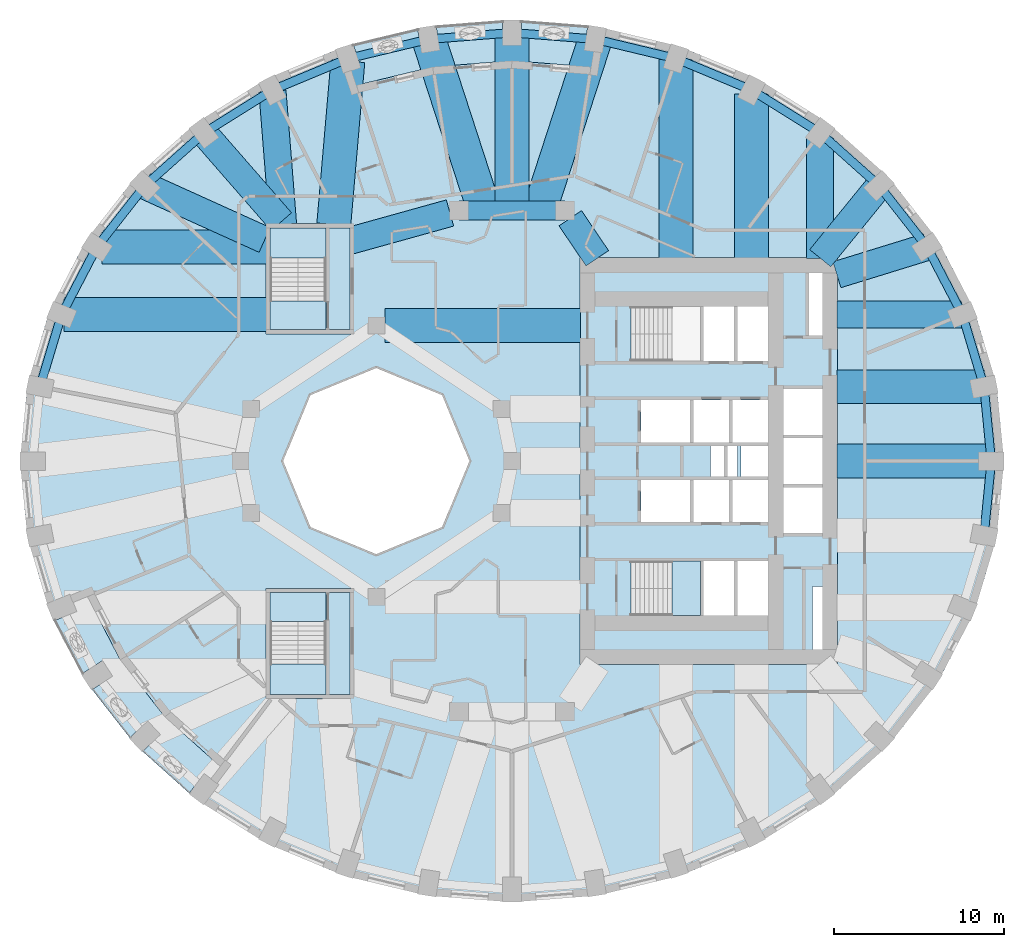
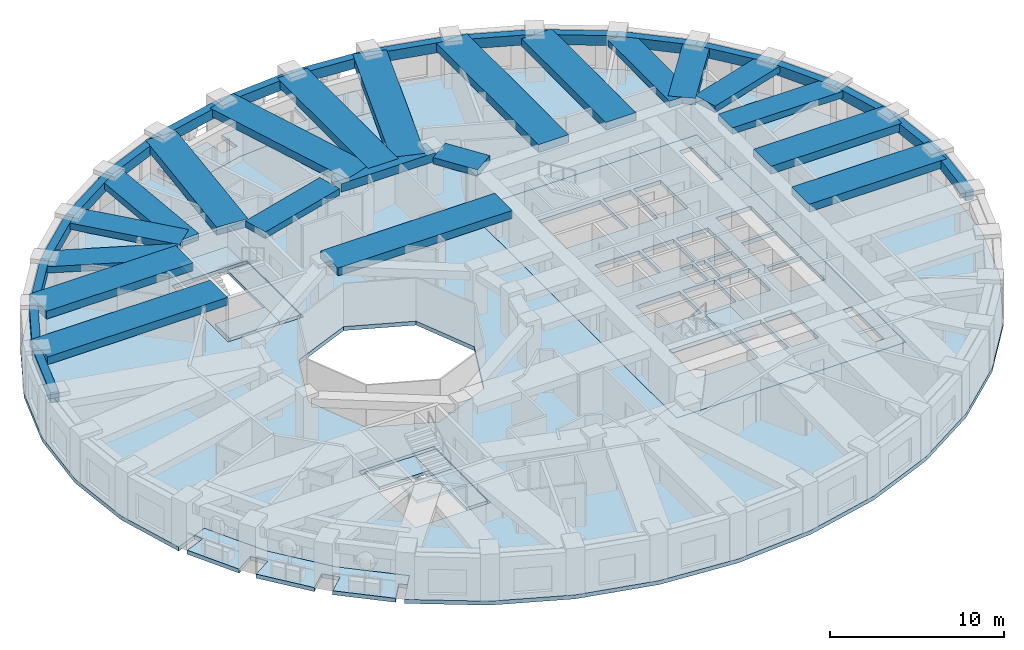
# One storey, part 2 of 13: 39 beams, 11 slabs, 3 elements without a shape of their own.
"""IFC4 building model written with IfcOpenShell, lengths in metres."""

from ifc_helpers import new_model, si_unit, direction, frame, origin, origin_2d, place, context, subcontext, project, spatial, polyline, rectangle, outline, extrude, material, layer, layer_set, material_profile, profile_set, type_object, element, aggregate, save


model = new_model("IFC4")

# Units and contexts
model_context = context("Model", 3, precision=1e-05, world=origin(), true_north=direction((0.0, 1.0)))
body_context = subcontext(model_context, "Body", "Model", "MODEL_VIEW")
ifc_project = project(units=[si_unit("LENGTHUNIT", "METRE"), si_unit("AREAUNIT", "SQUARE_METRE"), si_unit("VOLUMEUNIT", "CUBIC_METRE"), si_unit("PLANEANGLEUNIT", "RADIAN"), si_unit("MASSUNIT", "GRAM", prefix="KILO")], contexts=[model_context])

# Site, building, storey
site_placement = place(None, origin())
site = spatial("IfcSite", under=ifc_project, at=site_placement, CompositionType="ELEMENT")
building_placement = place(site_placement, origin())
building = spatial("IfcBuilding", under=site, at=building_placement, Name="Taillehof Tower", CompositionType="ELEMENT")
storey_placement = place(building_placement, frame((0.0, 0.0, 58.0)))
storey = spatial("IfcBuildingStorey", under=building, at=storey_placement, Name="L15", CompositionType="ELEMENT", Elevation=58.0)

# Beams
ifc_material_1 = material(Name="Concrete C50/60", Category="concrete")
ifc_material_profile_1 = material_profile(ifc_material_1, rectangle(XDim=1.10009765625, YDim=0.60009765625, at=origin_2d()), Name="RC 1100x600")
ifc_profile_set_1 = profile_set([ifc_material_profile_1], Name="Concrete C50/60")
beam_type_1 = type_object("IfcBeamType", Name="Mid-ring beam C50/60 1100x600", PredefinedType="BEAM", material=ifc_profile_set_1)
beam_1_placement = place(storey_placement, frame((3.125732421875, 14.772216796875, 2.719970703125), z_axis=(-1.0, 0.0, 0.0), x_axis=(0.0, -1.0, 0.0)))
element("IfcBeam", 1, at=beam_1_placement, inside=storey, type_object=beam_type_1, Name="Mid-ring beam MB01", PredefinedType="BEAM", context=body_context, shape_type="SweptSolid", body=[
    extrude(rectangle(XDim=1.10009765625, YDim=0.60009765625, at=origin_2d()), origin(), (0.0, 0.0, 1.0), 6.25146484375),
])
ifc_material_2 = material(Name="Concrete C50/60", Category="concrete")
ifc_material_profile_2 = material_profile(ifc_material_2, rectangle(XDim=1.60009765625, YDim=0.449951171875, at=origin_2d()), Name="RC 1600x450")
ifc_profile_set_2 = profile_set([ifc_material_profile_2], Name="Concrete C50/60")
beam_type_2 = type_object("IfcBeamType", Name="Radial band beam C50/60 1600x450", PredefinedType="BEAM", material=ifc_profile_set_2)
beam_2_placement = place(storey_placement, frame((26.490478515625, 8.635986328125, 2.794921875), z_axis=(-1.0, 0.0, 0.0), x_axis=(0.0, -1.0, 0.0)))
element("IfcBeam", 2, at=beam_2_placement, inside=storey, type_object=beam_type_2, Name="Radial band beam RB03", PredefinedType="BEAM", context=body_context, shape_type="SweptSolid", body=[
    extrude(rectangle(XDim=1.60009765625, YDim=0.449951171875, at=origin_2d()), origin(), (0.0, 0.0, 1.0), 7.340576171875),
])
beam_3_placement = place(storey_placement, frame((24.46533203125, 12.625, 2.794921875), z_axis=(-0.955535654338, -0.294875589511, 0.0), x_axis=(0.294875589511, -0.955535654338, 0.0)))
element("IfcBeam", 3, at=beam_3_placement, inside=storey, type_object=beam_type_2, Name="Radial band beam RB04", PredefinedType="BEAM", context=body_context, shape_type="SweptSolid", body=[
    extrude(rectangle(XDim=1.60009765625, YDim=0.449951171875, at=origin_2d()), origin(), (0.0, 0.0, 1.0), 5.560546875),
])
beam_4_placement = place(storey_placement, frame((21.640869140625, 16.23046875, 2.794921875), z_axis=(-0.630988373846, -0.775792286679, 0.0), x_axis=(0.775792286679, -0.630988373846, 0.0)))
element("IfcBeam", 4, at=beam_4_placement, inside=storey, type_object=beam_type_2, Name="Radial band beam RB05", PredefinedType="BEAM", context=body_context, shape_type="SweptSolid", body=[
    extrude(rectangle(XDim=1.60009765625, YDim=0.449951171875, at=origin_2d()), origin(), (0.0, 0.0, 1.0), 5.503173828125),
])
beam_5_placement = place(storey_placement, frame((18.15869140625, 19.05517578125, 2.794921875), z_axis=(0.0, -1.0, 0.0), x_axis=(1.0, 0.0, 0.0)))
element("IfcBeam", 5, at=beam_5_placement, inside=storey, type_object=beam_type_2, Name="Radial band beam RB06", PredefinedType="BEAM", context=body_context, shape_type="SweptSolid", body=[
    extrude(rectangle(XDim=1.60009765625, YDim=0.449951171875, at=origin_2d()), origin(), (0.0, 0.0, 1.0), 7.105224609375),
])
beam_6_placement = place(storey_placement, frame((-14.119873046875, 21.802978515625, 2.794921875), z_axis=(0.079184740988, -0.996859958467, 0.0), x_axis=(0.996859958467, 0.079184740988, 0.0)))
element("IfcBeam", 6, at=beam_6_placement, inside=storey, type_object=beam_type_2, Name="Radial band beam RB13", PredefinedType="BEAM", context=body_context, shape_type="SweptSolid", body=[
    extrude(rectangle(XDim=1.60009765625, YDim=0.449951171875, at=origin_2d()), origin(), (0.0, 0.0, 1.0), 7.87744140625),
])
beam_7_placement = place(storey_placement, frame((-18.15869140625, 19.342529296875, 2.794921875), z_axis=(0.65721824087, -0.753700327628, 0.0), x_axis=(0.753700327628, 0.65721824087, 0.0)))
element("IfcBeam", 7, at=beam_7_placement, inside=storey, type_object=beam_type_2, Name="Radial band beam RB14", PredefinedType="BEAM", context=body_context, shape_type="SweptSolid", body=[
    extrude(rectangle(XDim=1.60009765625, YDim=0.449951171875, at=origin_2d()), origin(), (0.0, 0.0, 1.0), 6.9384765625),
])
beam_8_placement = place(storey_placement, frame((-21.632568359375, 16.226806640625, 2.794921875), z_axis=(0.911100590789, -0.412184077161, 0.0), x_axis=(0.412184077161, 0.911100590789, 0.0)))
element("IfcBeam", 8, at=beam_8_placement, inside=storey, type_object=beam_type_2, Name="Radial band beam RB15", PredefinedType="BEAM", context=body_context, shape_type="SweptSolid", body=[
    extrude(rectangle(XDim=1.60009765625, YDim=0.449951171875, at=origin_2d()), origin(), (0.0, 0.0, 1.0), 7.740966796875),
])
beam_9_placement = place(storey_placement, frame((3.433837890625, 14.31640625, 2.794921875), z_axis=(0.560112043398, -0.828416862962, 0.0), x_axis=(0.828416862962, 0.560112043398, 0.0)))
element("IfcBeam", 9, at=beam_9_placement, inside=storey, type_object=beam_type_2, Name="Inner band beam IB205", PredefinedType="BEAM", context=body_context, shape_type="SweptSolid", body=[
    extrude(rectangle(XDim=1.60009765625, YDim=0.449951171875, at=origin_2d()), origin(), (0.0, 0.0, 1.0), 2.84619140625),
])
beam_10_placement = place(storey_placement, frame((-3.655517578125, 14.624755859375, 2.794921875), z_axis=(-0.963459369536, -0.267854518821, 0.0), x_axis=(0.267854518821, -0.963459369536, 0.0)))
element("IfcBeam", 10, at=beam_10_placement, inside=storey, type_object=beam_type_2, Name="Inner band beam IB206", PredefinedType="BEAM", context=body_context, shape_type="SweptSolid", body=[
    extrude(rectangle(XDim=1.60009765625, YDim=0.449951171875, at=origin_2d()), origin(), (0.0, 0.0, 1.0), 6.096923828125),
])
ifc_material_3 = material(Name="Concrete C50/60", Category="concrete")
ifc_material_profile_3 = material_profile(ifc_material_3, rectangle(XDim=2.0, YDim=0.550048828125, at=origin_2d()), Name="RC 2000x550")
ifc_profile_set_3 = profile_set([ifc_material_profile_3], Name="Concrete C50/60")
beam_type_3 = type_object("IfcBeamType", Name="Radial band beam C50/60 2000x550", PredefinedType="BEAM", material=ifc_profile_set_3)
beam_11_placement = place(storey_placement, frame((28.25, 0.0, 2.7451171875), z_axis=(-1.0, 0.0, 0.0), x_axis=(0.0, -1.0, 0.0)))
element("IfcBeam", 11, at=beam_11_placement, inside=storey, type_object=beam_type_3, Name="Radial band beam RB01", PredefinedType="BEAM", context=body_context, shape_type="SweptSolid", body=[
    extrude(rectangle(XDim=2.0, YDim=0.550048828125, at=origin_2d()), origin(), (0.0, 0.0, 1.0), 9.10009765625),
])
beam_12_placement = place(storey_placement, frame((27.82080078125, 4.384521484375, 2.7451171875), z_axis=(-1.0, 0.0, 0.0), x_axis=(0.0, -1.0, 0.0)))
element("IfcBeam", 12, at=beam_12_placement, inside=storey, type_object=beam_type_3, Name="Radial band beam RB02", PredefinedType="BEAM", context=body_context, shape_type="SweptSolid", body=[
    extrude(rectangle(XDim=2.0, YDim=0.550048828125, at=origin_2d()), origin(), (0.0, 0.0, 1.0), 8.6708984375),
])
beam_13_placement = place(storey_placement, frame((14.125, 21.63232421875, 2.7451171875), z_axis=(0.0, -1.0, 0.0), x_axis=(1.0, 0.0, 0.0)))
element("IfcBeam", 13, at=beam_13_placement, inside=storey, type_object=beam_type_3, Name="Radial band beam RB07", PredefinedType="BEAM", context=body_context, shape_type="SweptSolid", body=[
    extrude(rectangle(XDim=2.0, YDim=0.550048828125, at=origin_2d()), origin(), (0.0, 0.0, 1.0), 9.682373046875),
])
beam_14_placement = place(storey_placement, frame((9.662109375, 23.664794921875, 2.7451171875), z_axis=(0.0, -1.0, 0.0), x_axis=(1.0, 0.0, 0.0)))
element("IfcBeam", 14, at=beam_14_placement, inside=storey, type_object=beam_type_3, Name="Radial band beam RB08", PredefinedType="BEAM", context=body_context, shape_type="SweptSolid", body=[
    extrude(rectangle(XDim=2.0, YDim=0.550048828125, at=origin_2d()), origin(), (0.0, 0.0, 1.0), 11.71484375),
])
beam_15_placement = place(storey_placement, frame((4.905517578125, 24.866455078125, 2.7451171875), z_axis=(-0.309014294595, -0.951057393503, 0.0), x_axis=(0.951057393503, -0.309014294595, 0.0)))
element("IfcBeam", 15, at=beam_15_placement, inside=storey, type_object=beam_type_3, Name="Radial band beam RB09", PredefinedType="BEAM", context=body_context, shape_type="SweptSolid", body=[
    extrude(rectangle(XDim=2.0, YDim=0.550048828125, at=origin_2d()), origin(), (0.0, 0.0, 1.0), 10.61376953125),
])
beam_16_placement = place(storey_placement, frame((0.0, 25.25, 2.7451171875), z_axis=(0.0, -1.0, 0.0), x_axis=(1.0, 0.0, 0.0)))
element("IfcBeam", 16, at=beam_16_placement, inside=storey, type_object=beam_type_3, Name="Radial band beam RB10", PredefinedType="BEAM", context=body_context, shape_type="SweptSolid", body=[
    extrude(rectangle(XDim=2.0, YDim=0.550048828125, at=origin_2d()), origin(), (0.0, 0.0, 1.0), 10.477783203125),
])
beam_17_placement = place(storey_placement, frame((-4.905517578125, 24.866455078125, 2.7451171875), z_axis=(0.309014294595, -0.951057393503, 0.0), x_axis=(0.951057393503, 0.309014294595, 0.0)))
element("IfcBeam", 17, at=beam_17_placement, inside=storey, type_object=beam_type_3, Name="Radial band beam RB11", PredefinedType="BEAM", context=body_context, shape_type="SweptSolid", body=[
    extrude(rectangle(XDim=2.0, YDim=0.550048828125, at=origin_2d()), origin(), (0.0, 0.0, 1.0), 10.61376953125),
])
beam_18_placement = place(storey_placement, frame((-9.675048828125, 23.575927734375, 2.7451171875), z_axis=(-0.085841202752, -0.996308831593, 0.0), x_axis=(0.996308831593, -0.085841202752, 0.0)))
element("IfcBeam", 18, at=beam_18_placement, inside=storey, type_object=beam_type_3, Name="Radial band beam RB12", PredefinedType="BEAM", context=body_context, shape_type="SweptSolid", body=[
    extrude(rectangle(XDim=2.0, YDim=0.550048828125, at=origin_2d()), origin(), (0.0, 0.0, 1.0), 9.661376953125),
])
beam_19_placement = place(storey_placement, frame((-24.172607421875, 12.625, 2.7451171875), z_axis=(1.0, 0.0, 0.0), x_axis=(0.0, 1.0, 0.0)))
element("IfcBeam", 19, at=beam_19_placement, inside=storey, type_object=beam_type_3, Name="Radial band beam RB16", PredefinedType="BEAM", context=body_context, shape_type="SweptSolid", body=[
    extrude(rectangle(XDim=2.0, YDim=0.550048828125, at=origin_2d()), origin(), (0.0, 0.0, 1.0), 9.72265625),
])
beam_20_placement = place(storey_placement, frame((-26.408935546875, 8.635986328125, 2.7451171875), z_axis=(1.0, 0.0, 0.0), x_axis=(0.0, 1.0, 0.0)))
element("IfcBeam", 20, at=beam_20_placement, inside=storey, type_object=beam_type_3, Name="Radial band beam RB17", PredefinedType="BEAM", context=body_context, shape_type="SweptSolid", body=[
    extrude(rectangle(XDim=2.0, YDim=0.550048828125, at=origin_2d()), origin(), (0.0, 0.0, 1.0), 11.958984375),
])
beam_21_placement = place(storey_placement, frame((-7.5, 8.0, 2.7451171875), z_axis=(1.0, 0.0, 0.0), x_axis=(0.0, 1.0, 0.0)))
element("IfcBeam", 21, at=beam_21_placement, inside=storey, type_object=beam_type_3, Name="Inner band beam IB105", PredefinedType="BEAM", context=body_context, shape_type="SweptSolid", body=[
    extrude(rectangle(XDim=2.0, YDim=0.550048828125, at=origin_2d()), origin(), (0.0, 0.0, 1.0), 11.550048828125),
])
ifc_material_4 = material(Name="Concrete C50/60", Category="concrete")
ifc_material_profile_4 = material_profile(ifc_material_4, rectangle(XDim=0.5, YDim=0.699951171875, at=origin_2d()), Name="RC 500x700")
ifc_profile_set_4 = profile_set([ifc_material_profile_4], Name="Concrete C50/60")
beam_type_4 = type_object("IfcBeamType", Name="Spandrel beam C50/60 500x700", PredefinedType="SPANDREL", material=ifc_profile_set_4)
beam_22_placement = place(storey_placement, frame((28.25, 0.0, 2.669921875), z_axis=(-0.097423973567, 0.99524297002, 0.0), x_axis=(-0.99524297002, -0.097423973567, 0.0)))
element("IfcBeam", 22, at=beam_22_placement, inside=storey, type_object=beam_type_4, Name="Spandrel beam SB01", PredefinedType="SPANDREL", context=body_context, shape_type="SweptSolid", body=[
    extrude(rectangle(XDim=0.5, YDim=0.699951171875, at=origin_2d()), origin(), (0.0, 0.0, 1.0), 4.405517578125),
])
beam_23_placement = place(storey_placement, frame((27.82080078125, 4.384521484375, 2.669921875), z_axis=(-0.287135925407, 0.957889847707, 0.0), x_axis=(-0.957889847707, -0.287135925407, 0.0)))
element("IfcBeam", 23, at=beam_23_placement, inside=storey, type_object=beam_type_4, Name="Spandrel beam SB02", PredefinedType="SPANDREL", context=body_context, shape_type="SweptSolid", body=[
    extrude(rectangle(XDim=0.5, YDim=0.699951171875, at=origin_2d()), origin(), (0.0, 0.0, 1.0), 4.4384765625),
])
beam_24_placement = place(storey_placement, frame((26.54638671875, 8.635986328125, 2.669921875), z_axis=(-0.462536335232, 0.886600326297, 0.0), x_axis=(-0.886600326297, -0.462536335232, 0.0)))
element("IfcBeam", 24, at=beam_24_placement, inside=storey, type_object=beam_type_4, Name="Spandrel beam SB03", PredefinedType="SPANDREL", context=body_context, shape_type="SweptSolid", body=[
    extrude(rectangle(XDim=0.5, YDim=0.699951171875, at=origin_2d()), origin(), (0.0, 0.0, 1.0), 4.499267578125),
])
beam_25_placement = place(storey_placement, frame((24.46533203125, 12.625, 2.669921875), z_axis=(-0.616686200373, 0.787209076593, 0.0), x_axis=(-0.787209076593, -0.616686200373, 0.0)))
element("IfcBeam", 25, at=beam_25_placement, inside=storey, type_object=beam_type_4, Name="Spandrel beam SB04", PredefinedType="SPANDREL", context=body_context, shape_type="SweptSolid", body=[
    extrude(rectangle(XDim=0.5, YDim=0.699951171875, at=origin_2d()), origin(), (0.0, 0.0, 1.0), 4.580078125),
])
beam_26_placement = place(storey_placement, frame((21.640869140625, 16.23046875, 2.669921875), z_axis=(-0.745621283614, 0.666369943366, 0.0), x_axis=(-0.666369943366, -0.745621283614, 0.0)))
element("IfcBeam", 26, at=beam_26_placement, inside=storey, type_object=beam_type_4, Name="Spandrel beam SB05", PredefinedType="SPANDREL", context=body_context, shape_type="SweptSolid", body=[
    extrude(rectangle(XDim=0.5, YDim=0.699951171875, at=origin_2d()), origin(), (0.0, 0.0, 1.0), 4.670166015625),
])
beam_27_placement = place(storey_placement, frame((18.15869140625, 19.342529296875, 2.669921875), z_axis=(-0.847658018883, 0.530543007703, 0.0), x_axis=(-0.530543007703, -0.847658018883, 0.0)))
element("IfcBeam", 27, at=beam_27_placement, inside=storey, type_object=beam_type_4, Name="Spandrel beam SB06", PredefinedType="SPANDREL", context=body_context, shape_type="SweptSolid", body=[
    extrude(rectangle(XDim=0.5, YDim=0.699951171875, at=origin_2d()), origin(), (0.0, 0.0, 1.0), 4.758544921875),
])
beam_28_placement = place(storey_placement, frame((14.125, 21.8671875, 2.669921875), z_axis=(-0.923035088053, 0.384715773297, 0.0), x_axis=(-0.384715773297, -0.923035088053, 0.0)))
element("IfcBeam", 28, at=beam_28_placement, inside=storey, type_object=beam_type_4, Name="Spandrel beam SB07", PredefinedType="SPANDREL", context=body_context, shape_type="SweptSolid", body=[
    extrude(rectangle(XDim=0.5, YDim=0.699951171875, at=origin_2d()), origin(), (0.0, 0.0, 1.0), 4.8349609375),
])
beam_29_placement = place(storey_placement, frame((9.662109375, 23.727294921875, 2.669921875), z_axis=(-0.9724995553, 0.232904733616, 0.0), x_axis=(-0.232904733616, -0.9724995553, 0.0)))
element("IfcBeam", 29, at=beam_29_placement, inside=storey, type_object=beam_type_4, Name="Spandrel beam SB08", PredefinedType="SPANDREL", context=body_context, shape_type="SweptSolid", body=[
    extrude(rectangle(XDim=0.5, YDim=0.699951171875, at=origin_2d()), origin(), (0.0, 0.0, 1.0), 4.89111328125),
])
for number, where, z_axis, x_axis, name in (
    (30, (4.905517578125, 24.866455078125, 2.669921875), (-0.996957383661, 0.077948541767, 0.0), (-0.077948541767, -0.996957383661, 0.0), "Spandrel beam SB09"),
    (31, (0.0, 25.25, 2.669921875), (-0.996957383661, -0.077948541767, 0.0), (0.077948541767, -0.996957383661, 0.0), "Spandrel beam SB10"),
):
    element("IfcBeam", number, at=place(storey_placement, frame(where, z_axis=z_axis, x_axis=x_axis)), inside=storey, type_object=beam_type_4, Name=name, PredefinedType="SPANDREL", context=body_context, shape_type="SweptSolid", body=[
        extrude(rectangle(XDim=0.5, YDim=0.699951171875, at=origin_2d()), origin(), (0.0, 0.0, 1.0), 4.92041015625),
    ])
beam_30_placement = place(storey_placement, frame((-4.905517578125, 24.866455078125, 2.669921875), z_axis=(-0.9724995553, -0.232904733616, 0.0), x_axis=(0.232904733616, -0.9724995553, 0.0)))
element("IfcBeam", 32, at=beam_30_placement, inside=storey, type_object=beam_type_4, Name="Spandrel beam SB11", PredefinedType="SPANDREL", context=body_context, shape_type="SweptSolid", body=[
    extrude(rectangle(XDim=0.5, YDim=0.699951171875, at=origin_2d()), origin(), (0.0, 0.0, 1.0), 4.89111328125),
])
beam_31_placement = place(storey_placement, frame((-9.662109375, 23.727294921875, 2.669921875), z_axis=(-0.923035088053, -0.384715773297, 0.0), x_axis=(0.384715773297, -0.923035088053, 0.0)))
element("IfcBeam", 33, at=beam_31_placement, inside=storey, type_object=beam_type_4, Name="Spandrel beam SB12", PredefinedType="SPANDREL", context=body_context, shape_type="SweptSolid", body=[
    extrude(rectangle(XDim=0.5, YDim=0.699951171875, at=origin_2d()), origin(), (0.0, 0.0, 1.0), 4.8349609375),
])
beam_32_placement = place(storey_placement, frame((-14.125, 21.8671875, 2.669921875), z_axis=(-0.847658018883, -0.530543007703, 0.0), x_axis=(0.530543007703, -0.847658018883, 0.0)))
element("IfcBeam", 34, at=beam_32_placement, inside=storey, type_object=beam_type_4, Name="Spandrel beam SB13", PredefinedType="SPANDREL", context=body_context, shape_type="SweptSolid", body=[
    extrude(rectangle(XDim=0.5, YDim=0.699951171875, at=origin_2d()), origin(), (0.0, 0.0, 1.0), 4.758544921875),
])
beam_33_placement = place(storey_placement, frame((-18.15869140625, 19.342529296875, 2.669921875), z_axis=(-0.745621283614, -0.666369943366, 0.0), x_axis=(0.666369943366, -0.745621283614, 0.0)))
element("IfcBeam", 35, at=beam_33_placement, inside=storey, type_object=beam_type_4, Name="Spandrel beam SB14", PredefinedType="SPANDREL", context=body_context, shape_type="SweptSolid", body=[
    extrude(rectangle(XDim=0.5, YDim=0.699951171875, at=origin_2d()), origin(), (0.0, 0.0, 1.0), 4.670166015625),
])
beam_34_placement = place(storey_placement, frame((-21.640869140625, 16.23046875, 2.669921875), z_axis=(-0.616686200373, -0.787209076593, 0.0), x_axis=(0.787209076593, -0.616686200373, 0.0)))
element("IfcBeam", 36, at=beam_34_placement, inside=storey, type_object=beam_type_4, Name="Spandrel beam SB15", PredefinedType="SPANDREL", context=body_context, shape_type="SweptSolid", body=[
    extrude(rectangle(XDim=0.5, YDim=0.699951171875, at=origin_2d()), origin(), (0.0, 0.0, 1.0), 4.580078125),
])
beam_35_placement = place(storey_placement, frame((-24.46533203125, 12.625, 2.669921875), z_axis=(-0.462536335232, -0.886600326297, 0.0), x_axis=(0.886600326297, -0.462536335232, 0.0)))
element("IfcBeam", 37, at=beam_35_placement, inside=storey, type_object=beam_type_4, Name="Spandrel beam SB16", PredefinedType="SPANDREL", context=body_context, shape_type="SweptSolid", body=[
    extrude(rectangle(XDim=0.5, YDim=0.699951171875, at=origin_2d()), origin(), (0.0, 0.0, 1.0), 4.499267578125),
])
beam_36_placement = place(storey_placement, frame((-26.54638671875, 8.635986328125, 2.669921875), z_axis=(-0.287135925407, -0.957889847707, 0.0), x_axis=(0.957889847707, -0.287135925407, 0.0)))
element("IfcBeam", 38, at=beam_36_placement, inside=storey, type_object=beam_type_4, Name="Spandrel beam SB17", PredefinedType="SPANDREL", context=body_context, shape_type="SweptSolid", body=[
    extrude(rectangle(XDim=0.5, YDim=0.699951171875, at=origin_2d()), origin(), (0.0, 0.0, 1.0), 4.4384765625),
])
beam_37_placement = place(storey_placement, frame((27.82080078125, -4.384521484375, 2.669921875), z_axis=(0.097423973567, 0.99524297002, 0.0), x_axis=(-0.99524297002, 0.097423973567, 0.0)))
element("IfcBeam", 39, at=beam_37_placement, inside=storey, type_object=beam_type_4, Name="Spandrel beam SB36", PredefinedType="SPANDREL", context=body_context, shape_type="SweptSolid", body=[
    extrude(rectangle(XDim=0.5, YDim=0.699951171875, at=origin_2d()), origin(), (0.0, 0.0, 1.0), 4.405517578125),
])

# Slabs
ifc_material_5 = material(Name="Concrete C40/50", Category="concrete")
ifc_layer_1 = layer(ifc_material_5, 0.280029296875)
ifc_layer_set_1 = layer_set([ifc_layer_1], Name="Balcony slab 280")
slab_type_1 = type_object("IfcSlabType", Name="Balcony slab 280", PredefinedType="USERDEFINED", material=ifc_layer_set_1)
slab_1_placement = place(storey_placement, frame((0.0, 0.0, -0.280029296875)))
element("IfcSlab", 40, at=slab_1_placement, inside=storey, type_object=slab_type_1, Name="Balcony L15 pocket 2", ObjectType="BALCONY", PredefinedType="USERDEFINED", context=body_context, shape_type="SweptSolid", body=[
    extrude(outline(polyline([(-9.174072265625, 22.150390625), (-9.453369140625, 23.00634765625), (-8.906494140625, 23.184814453125), (-9.357421875, 24.56689453125), (-5.559326171875, 25.479248046875), (-5.331787109375, 24.039794921875), (-4.2451171875, 24.21142578125), (-4.472412109375, 25.649169921875), (-0.550048828125, 25.956787109375), (-0.550048828125, 24.5), (0.550048828125, 24.5), (0.550048828125, 25.956787109375), (4.472412109375, 25.649169921875), (4.2451171875, 24.21142578125), (4.801513671875, 24.12353515625), (4.6611328125, 23.234375), (0.0, 23.60009765625), (-4.6611328125, 23.234375), (-9.174072265625, 22.150390625)])), origin(), (0.0, 0.0, 1.0), 0.280029296875),
])
slab_2_placement = place(storey_placement, frame((0.0, 0.0, -0.280029296875)))
element("IfcSlab", 41, at=slab_2_placement, inside=storey, type_object=slab_type_1, Name="Balcony L15 pocket 6", ObjectType="BALCONY", PredefinedType="USERDEFINED", context=body_context, shape_type="SweptSolid", body=[
    extrude(outline(polyline([(-17.197998046875, -17.999267578125), (-17.73974609375, -18.71923828125), (-18.1474609375, -18.41259765625), (-19.02197265625, -19.575439453125), (-21.77392578125, -17.108154296875), (-20.71728515625, -16.119384765625), (-21.468994140625, -15.31640625), (-22.530029296875, -16.309326171875), (-24.752197265625, -13.464111328125), (-23.536865234375, -12.681396484375), (-24.13232421875, -11.756591796875), (-25.352783203125, -12.54248046875), (-26.9833984375, -9.406982421875), (-25.64453125, -8.863525390625), (-25.86181640625, -8.328369140625), (-25.02734375, -7.98974609375), (-23.096923828125, -11.70068359375), (-20.463134765625, -15.072509765625), (-17.197998046875, -17.999267578125)])), origin(), (0.0, 0.0, 1.0), 0.280029296875),
])
ifc_material_6 = material(Name="Concrete C40/50", Category="concrete")
ifc_layer_2 = layer(ifc_material_6, 0.280029296875)
ifc_layer_set_2 = layer_set([ifc_layer_2], Name="Core floor slab C40/50 280")
slab_type_2 = type_object("IfcSlabType", Name="Core floor slab C40/50 280", PredefinedType="FLOOR", material=ifc_layer_set_2)
slab_3_placement = place(storey_placement, frame((0.0, 0.0, -0.280029296875)))
element("IfcSlab", 42, at=slab_3_placement, inside=storey, type_object=slab_type_2, Name="Core floor L15", PredefinedType="FLOOR", context=body_context, shape_type="SweptSolid", body=[
    extrude(outline(polyline([(4.0, -12.0), (4.0, 12.0), (19.199951171875, 12.0), (19.199951171875, -12.0), (4.0, -12.0)]), holes=[polyline([(7.00048828125, -9.10009765625), (11.10009765625, -9.10009765625), (11.10009765625, -5.89990234375), (7.00048828125, -5.89990234375), (7.00048828125, -9.10009765625)]), polyline([(13.10009765625, -9.10009765625), (13.10009765625, -5.89990234375), (11.300048828125, -5.89990234375), (11.300048828125, -9.10009765625), (13.10009765625, -9.10009765625)]), polyline([(10.5, -3.60009765625), (10.5, -1.10009765625), (7.60009765625, -1.10009765625), (7.60009765625, -3.60009765625), (10.5, -3.60009765625)]), polyline([(10.699951171875, -3.60009765625), (12.800048828125, -3.60009765625), (12.800048828125, -1.10009765625), (10.699951171875, -1.10009765625), (10.699951171875, -3.60009765625)]), polyline([(11.699951171875, -0.89990234375), (12.5, -0.89990234375), (12.5, 0.89990234375), (11.699951171875, 0.89990234375), (11.699951171875, -0.89990234375)]), polyline([(13.300048828125, -0.89990234375), (13.300048828125, 0.89990234375), (12.699951171875, 0.89990234375), (12.699951171875, -0.89990234375), (13.300048828125, -0.89990234375)]), polyline([(10.5, 1.10009765625), (10.5, 3.60009765625), (7.60009765625, 3.60009765625), (7.60009765625, 1.10009765625), (10.5, 1.10009765625)]), polyline([(12.800048828125, 1.10009765625), (12.800048828125, 3.60009765625), (10.699951171875, 3.60009765625), (10.699951171875, 1.10009765625), (12.800048828125, 1.10009765625)]), polyline([(11.300048828125, 5.89990234375), (13.10009765625, 5.89990234375), (13.10009765625, 9.10009765625), (11.300048828125, 9.10009765625), (11.300048828125, 5.89990234375)]), polyline([(7.00048828125, 5.89990234375), (11.10009765625, 5.89990234375), (11.10009765625, 9.10009765625), (7.00048828125, 9.10009765625), (7.00048828125, 5.89990234375)]), polyline([(18.300048828125, -11.10009765625), (18.300048828125, -7.39990234375), (17.699951171875, -7.39990234375), (17.699951171875, -11.10009765625), (18.300048828125, -11.10009765625)]), polyline([(15.10009765625, -9.10009765625), (15.10009765625, -5.89990234375), (13.300048828125, -5.89990234375), (13.300048828125, -9.10009765625), (15.10009765625, -9.10009765625)]), polyline([(18.300048828125, -4.25), (18.300048828125, -1.550048828125), (16.0, -1.550048828125), (16.0, -4.25), (18.300048828125, -4.25)]), polyline([(13.0, -3.60009765625), (15.10009765625, -3.60009765625), (15.10009765625, -1.10009765625), (13.0, -1.10009765625), (13.0, -3.60009765625)]), polyline([(13.5, -0.89990234375), (15.10009765625, -0.89990234375), (15.10009765625, 0.89990234375), (13.5, 0.89990234375), (13.5, -0.89990234375)]), polyline([(18.300048828125, -1.35009765625), (18.300048828125, 1.35009765625), (16.0, 1.35009765625), (16.0, -1.35009765625), (18.300048828125, -1.35009765625)]), polyline([(15.10009765625, 1.10009765625), (15.10009765625, 3.60009765625), (13.0, 3.60009765625), (13.0, 1.10009765625), (15.10009765625, 1.10009765625)]), polyline([(18.300048828125, 1.550048828125), (18.300048828125, 4.25), (16.0, 4.25), (16.0, 1.550048828125), (18.300048828125, 1.550048828125)]), polyline([(13.300048828125, 5.89990234375), (15.10009765625, 5.89990234375), (15.10009765625, 9.10009765625), (13.300048828125, 9.10009765625), (13.300048828125, 5.89990234375)]), polyline([(17.5, 7.39990234375), (18.300048828125, 7.39990234375), (18.300048828125, 11.10009765625), (17.5, 11.10009765625), (17.5, 7.39990234375)])]), origin(), (0.0, 0.0, 1.0), 0.280029296875),
])
ifc_material_7 = material(Name="Concrete C40/50", Category="concrete")
ifc_layer_3 = layer(ifc_material_7, 0.280029296875)
ifc_layer_set_3 = layer_set([ifc_layer_3], Name="Floor slab 280")
slab_type_3 = type_object("IfcSlabType", Name="Floor slab 280", PredefinedType="FLOOR", material=ifc_layer_set_3)
slab_4_placement = place(storey_placement, frame((0.0, 0.0, -0.280029296875)))
element("IfcSlab", 43, at=slab_4_placement, inside=storey, type_object=slab_type_3, Name="Floor slab L15", PredefinedType="FLOOR", context=body_context, shape_type="SweptSolid", body=[
    extrude(outline(polyline([(29.0, 0.0), (28.559326171875, 4.514892578125), (27.251220703125, 8.892578125), (25.11474609375, 13.0), (22.21533203125, 16.71240234375), (18.640869140625, 19.917236328125), (14.5, 22.5166015625), (9.918701171875, 24.431884765625), (5.035888671875, 25.60498046875), (4.660888671875, 23.234375), (0.0, 23.60009765625), (-4.660888671875, 23.234375), (-9.174072265625, 22.150390625), (-9.918701171875, 24.431884765625), (-14.5, 22.5166015625), (-18.640869140625, 19.917236328125), (-22.21533203125, 16.71240234375), (-25.11474609375, 13.0), (-27.251220703125, 8.892578125), (-28.559326171875, 4.514892578125), (-29.0, 0.0), (-28.559326171875, -4.514892578125), (-27.251220703125, -8.892578125), (-25.02734375, -7.98974609375), (-23.096923828125, -11.70068359375), (-20.462890625, -15.072509765625), (-17.197998046875, -17.999267578125), (-18.640869140625, -19.917236328125), (-14.5, -22.5166015625), (-9.918701171875, -24.431884765625), (-5.035888671875, -25.60498046875), (0.0, -26.0), (5.035888671875, -25.60498046875), (9.918701171875, -24.431884765625), (14.5, -22.5166015625), (18.640869140625, -19.917236328125), (22.21533203125, -16.71240234375), (25.11474609375, -13.0), (27.251220703125, -8.892578125), (28.559326171875, -4.514892578125), (29.0, 0.0)]), holes=[polyline([(-14.5, -7.5), (-9.5, -7.5), (-9.5, -14.0), (-14.5, -14.0), (-14.5, -7.5)]), polyline([(-8.0, -5.5), (-11.88916015625, -3.88916015625), (-13.5, 0.0), (-11.88916015625, 3.88916015625), (-8.0, 5.5), (-4.11083984375, 3.88916015625), (-2.5, 0.0), (-4.11083984375, -3.88916015625), (-8.0, -5.5)]), polyline([(19.199951171875, 12.0), (19.199951171875, -12.0), (4.0, -12.0), (4.0, 12.0), (19.199951171875, 12.0)]), polyline([(-14.5, 14.0), (-9.5, 14.0), (-9.5, 7.5), (-14.5, 7.5), (-14.5, 14.0)])]), origin(), (0.0, 0.0, 1.0), 0.280029296875),
])

# Stair, slab
ifc_material_8 = material(Name="Concrete C40/50", Category="concrete")
stair_type = type_object("IfcStairType", Name="Exit stair half-turn", PredefinedType="HALF_TURN_STAIR", material=ifc_material_8)
stair_1_placement = place(storey_placement, origin())
stair_1 = element("IfcStair", 44, at=stair_1_placement, inside=storey, type_object=stair_type, Name="Exit stair S2", PredefinedType="HALF_TURN_STAIR")
ifc_material_9 = material(Name="Concrete C40/50", Category="concrete")
ifc_layer_4 = layer(ifc_material_9, 0.2099609375)
ifc_layer_set_4 = layer_set([ifc_layer_4], Name="Stair landing C40/50 210")
slab_type_4 = type_object("IfcSlabType", Name="Stair landing C40/50 210", PredefinedType="LANDING", material=ifc_layer_set_4)
slab_5_placement = place(storey_placement, frame((0.0, 0.0, 1.43994140625)))
slab_5 = element("IfcSlab", 45, at=slab_5_placement, type_object=slab_type_4, Name="S2 landing 1", PredefinedType="LANDING", context=body_context, shape_type="SweptSolid", body=[
    extrude(outline(polyline([(9.429931640625, -5.89990234375), (11.10009765625, -5.89990234375), (11.10009765625, -9.10009765625), (9.429931640625, -9.10009765625), (9.429931640625, -5.89990234375)])), origin(), (0.0, 0.0, 1.0), 0.2099609375),
])
aggregate(stair_1, [slab_5])

stair_2_placement = place(storey_placement, origin())
stair_2 = element("IfcStair", 46, at=stair_2_placement, inside=storey, type_object=stair_type, Name="Exit stair S3", PredefinedType="HALF_TURN_STAIR")
slab_6_placement = place(storey_placement, frame((0.0, 0.0, 1.43994140625)))
slab_6 = element("IfcSlab", 47, at=slab_6_placement, type_object=slab_type_4, Name="S3 landing 1", PredefinedType="LANDING", context=body_context, shape_type="SweptSolid", body=[
    extrude(outline(polyline([(-14.25, 11.969970703125), (-14.25, 13.75), (-10.949951171875, 13.75), (-10.949951171875, 11.969970703125), (-14.25, 11.969970703125)])), origin(), (0.0, 0.0, 1.0), 0.2099609375),
])
aggregate(stair_2, [slab_6])

stair_3_placement = place(storey_placement, origin())
stair_3 = element("IfcStair", 48, at=stair_3_placement, inside=storey, type_object=stair_type, Name="Exit stair S4", PredefinedType="HALF_TURN_STAIR")
slab_7_placement = place(storey_placement, frame((0.0, 0.0, 1.43994140625)))
slab_7 = element("IfcSlab", 49, at=slab_7_placement, type_object=slab_type_4, Name="S4 landing 1", PredefinedType="LANDING", context=body_context, shape_type="SweptSolid", body=[
    extrude(outline(polyline([(-14.25, -11.969970703125), (-14.25, -13.75), (-10.949951171875, -13.75), (-10.949951171875, -11.969970703125), (-14.25, -11.969970703125)])), origin(), (0.0, 0.0, 1.0), 0.2099609375),
])
aggregate(stair_3, [slab_7])

# Slabs
slab_8_placement = place(storey_placement, frame((0.0, 0.0, -0.2099609375)))
element("IfcSlab", 50, at=slab_8_placement, inside=storey, type_object=slab_type_4, Name="Stair S3 floor landing", PredefinedType="LANDING", context=body_context, shape_type="SweptSolid", body=[
    extrude(outline(polyline([(-14.25, 7.75), (-14.25, 9.449951171875), (-10.949951171875, 9.449951171875), (-10.949951171875, 7.75), (-14.25, 7.75)])), origin(), (0.0, 0.0, 1.0), 0.2099609375),
])
slab_9_placement = place(storey_placement, frame((0.0, 0.0, -0.2099609375)))
element("IfcSlab", 51, at=slab_9_placement, inside=storey, type_object=slab_type_4, Name="Stair lobby S3 floor", PredefinedType="LANDING", context=body_context, shape_type="SweptSolid", body=[
    extrude(outline(polyline([(-10.949951171875, 7.75), (-9.550048828125, 7.75), (-9.550048828125, 13.75), (-10.949951171875, 13.75), (-10.949951171875, 7.75)])), origin(), (0.0, 0.0, 1.0), 0.2099609375),
])
slab_10_placement = place(storey_placement, frame((0.0, 0.0, -0.2099609375)))
element("IfcSlab", 52, at=slab_10_placement, inside=storey, type_object=slab_type_4, Name="Stair S4 floor landing", PredefinedType="LANDING", context=body_context, shape_type="SweptSolid", body=[
    extrude(outline(polyline([(-14.25, -7.75), (-14.25, -9.449951171875), (-10.949951171875, -9.449951171875), (-10.949951171875, -7.75), (-14.25, -7.75)])), origin(), (0.0, 0.0, 1.0), 0.2099609375),
])
slab_11_placement = place(storey_placement, frame((0.0, 0.0, -0.2099609375)))
element("IfcSlab", 53, at=slab_11_placement, inside=storey, type_object=slab_type_4, Name="Stair lobby S4 floor", PredefinedType="LANDING", context=body_context, shape_type="SweptSolid", body=[
    extrude(outline(polyline([(-10.949951171875, -13.75), (-9.550048828125, -13.75), (-9.550048828125, -7.75), (-10.949951171875, -7.75), (-10.949951171875, -13.75)])), origin(), (0.0, 0.0, 1.0), 0.2099609375),
])

save(model, "model.ifc")
